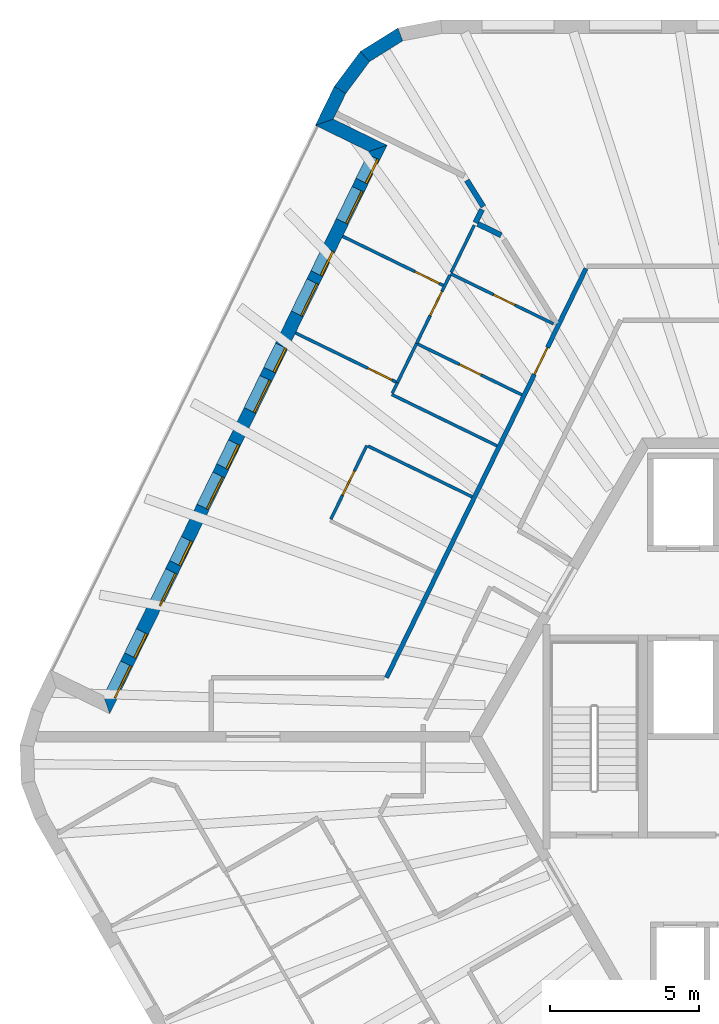
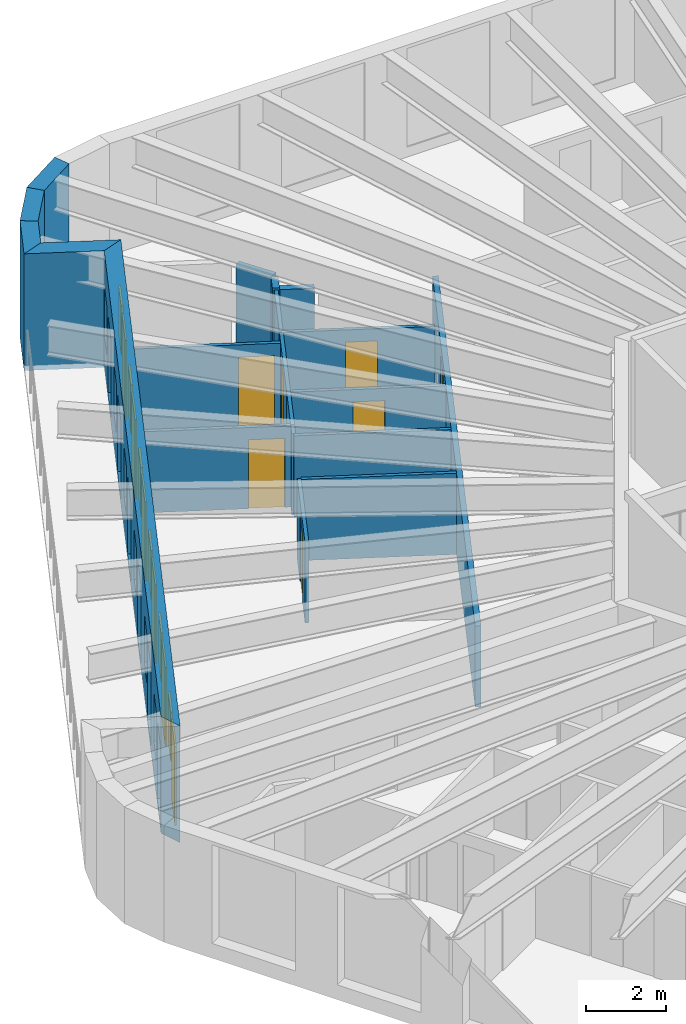
# One storey, part 8 of 11: 20 walls, 13 doors, 6 windows, 19 openings.
"""IFC4 building model written with IfcOpenShell, lengths in metres."""

from ifc_helpers import new_model, si_unit, direction, frame, frame_2d, origin, place, context, subcontext, project, spatial, polyline, rectangle, outline, extrude, material, layer, layer_set, type_object, element, fill, save


model = new_model("IFC4")

# Units and contexts
model_context = context("Model", 3, precision=1e-05, world=origin(), true_north=direction((0.0, 1.0)))
body_context = subcontext(model_context, "Body", "Model", "MODEL_VIEW")
ifc_project = project(units=[si_unit("LENGTHUNIT", "METRE"), si_unit("AREAUNIT", "SQUARE_METRE"), si_unit("VOLUMEUNIT", "CUBIC_METRE"), si_unit("PLANEANGLEUNIT", "RADIAN"), si_unit("MASSUNIT", "GRAM", prefix="KILO")], contexts=[model_context])

# Site, building, storey
site_placement = place(None, origin())
site = spatial("IfcSite", under=ifc_project, at=site_placement, CompositionType="ELEMENT")
building_placement = place(site_placement, origin())
building = spatial("IfcBuilding", under=site, at=building_placement, Name="Tarnside Tower", CompositionType="ELEMENT")
storey_placement = place(building_placement, frame((0.0, 0.0, 372.89990234375)))
storey = spatial("IfcBuildingStorey", under=building, at=storey_placement, Name="L90", CompositionType="ELEMENT", Elevation=372.89990234375)

# Walls
ifc_material_1 = material(Name="Gypsum board partition on steel studs", Category="steel")
ifc_layer_1 = layer(ifc_material_1, 0.10009765625)
ifc_layer_set_1 = layer_set([ifc_layer_1], Name="Bathroom wall 100")
wall_type_1 = type_object("IfcWallType", Name="Bathroom wall 100", PredefinedType="PARTITIONING", material=ifc_layer_set_1)
wall_1_placement = place(storey_placement, frame((-10.632080078125, 9.73828125, 0.0), z_axis=(0.0, 0.0, 1.0), x_axis=(-0.898787574002, 0.438384416717, 0.0)))
element("IfcWall", 1, at=wall_1_placement, inside=storey, type_object=wall_type_1, Name="Bathroom wall 29094", PredefinedType="PARTITIONING", context=body_context, shape_type="SweptSolid", body=[
    extrude(rectangle(XDim=3.925048828125, YDim=0.10009765625, at=frame_2d((1.96240234375, 0.0))), origin(), (0.0, 0.0, 1.0), 2.47021484375),
])
wall_2_placement = place(storey_placement, frame((-14.137939453125, 11.50390625, 0.0), z_axis=(0.0, 0.0, 1.0), x_axis=(0.438214838481, 0.898870266131, 0.0)))
element("IfcWall", 2, at=wall_2_placement, inside=storey, type_object=wall_type_1, Name="Bathroom wall 29095", PredefinedType="PARTITIONING", context=body_context, shape_type="SweptSolid", body=[
    extrude(rectangle(XDim=0.3916015625, YDim=0.10009765625, at=frame_2d((0.19580078125, 0.0))), origin(), (0.0, 0.0, 1.0), 2.47021484375),
])

# Wall, opening, door
wall_3_placement = place(storey_placement, frame((-13.326904296875, 13.16650390625, 0.0), z_axis=(0.0, 0.0, 1.0), x_axis=(0.898812080899, -0.438334168449, 0.0)))
wall_3 = element("IfcWall", 3, at=wall_3_placement, inside=storey, type_object=wall_type_1, Name="Bathroom wall 29100", PredefinedType="PARTITIONING", context=body_context, shape_type="SweptSolid", body=[
    extrude(rectangle(XDim=3.925048828125, YDim=0.10009765625, at=frame_2d((1.96240234375, 0.0))), origin(), (0.0, 0.0, 1.0), 2.47021484375),
])
opening_1_placement = place(wall_3_placement, frame((1.60009765625, 0.0, 0.0)))
opening_1 = element("IfcOpeningElement", 4, at=opening_1_placement, cuts=wall_3, Name="Opening D-B1", PredefinedType="OPENING", context=body_context, shape_type="SweptSolid", body=[
    extrude(rectangle(XDim=0.800048828125, YDim=2.10009765625, at=frame_2d((0.39990234375, 1.050048828125))), frame((0.0, 0.06005859375, 0.0), z_axis=(0.0, -1.0, 0.0), x_axis=(1.0, 0.0, 0.0)), (0.0, 0.0, 1.0), 0.1201171875),
])
ifc_material_2 = material(Name="Timber door leaf", Category="wood")
door_type_1 = type_object("IfcDoorType", Name="Bathroom door 800", OperationType="NOTDEFINED", PredefinedType="DOOR", material=ifc_material_2)
door_1_placement = place(opening_1_placement, origin())
door_1 = element("IfcDoor", 5, at=door_1_placement, inside=storey, type_object=door_type_1, Name="Bathroom door 29010", OperationType="SINGLE_SWING_LEFT", OverallHeight=2.10009765625, OverallWidth=0.800048828125, PredefinedType="DOOR", context=body_context, shape_type="SweptSolid", body=[
    extrude(rectangle(XDim=0.800048828125, YDim=2.10009765625, at=frame_2d((0.39990234375, 1.050048828125))), frame((0.0, 0.02490234375, 0.0), z_axis=(0.0, -1.0, 0.0), x_axis=(1.0, 0.0, 0.0)), (0.0, 0.0, 1.0), 0.050048828125),
])
fill(opening_1, door_1)

wall_4_placement = place(storey_placement, frame((-8.74462890625, 13.824462890625, 0.0), z_axis=(0.0, 0.0, 1.0), x_axis=(-0.898794787177, 0.43836962776, 0.0)))
wall_4 = element("IfcWall", 6, at=wall_4_placement, inside=storey, type_object=wall_type_1, Name="Bathroom wall 29103", PredefinedType="PARTITIONING", context=body_context, shape_type="SweptSolid", body=[
    extrude(rectangle(XDim=3.830078125, YDim=0.10009765625, at=frame_2d((1.9150390625, 0.0))), origin(), (0.0, 0.0, 1.0), 2.47021484375),
])
opening_2_placement = place(wall_4_placement, frame((1.43017578125, 0.0, 0.0)))
opening_2 = element("IfcOpeningElement", 7, at=opening_2_placement, cuts=wall_4, Name="Opening D-B1", PredefinedType="OPENING", context=body_context, shape_type="SweptSolid", body=[
    extrude(rectangle(XDim=0.800048828125, YDim=2.10009765625, at=frame_2d((0.39990234375, 1.050048828125))), frame((0.0, 0.06005859375, 0.0), z_axis=(0.0, -1.0, 0.0), x_axis=(1.0, 0.0, 0.0)), (0.0, 0.0, 1.0), 0.1201171875),
])
door_2_placement = place(opening_2_placement, origin())
door_2 = element("IfcDoor", 8, at=door_2_placement, inside=storey, type_object=door_type_1, Name="Bathroom door 29019", OperationType="SINGLE_SWING_RIGHT", OverallHeight=2.10009765625, OverallWidth=0.800048828125, PredefinedType="DOOR", context=body_context, shape_type="SweptSolid", body=[
    extrude(rectangle(XDim=0.800048828125, YDim=2.10009765625, at=frame_2d((0.39990234375, 1.050048828125))), frame((0.0, 0.02490234375, 0.0), z_axis=(0.0, -1.0, 0.0), x_axis=(1.0, 0.0, 0.0)), (0.0, 0.0, 1.0), 0.050048828125),
])
fill(opening_2, door_2)

# Walls
wall_5_placement = place(storey_placement, frame((-13.325927734375, 13.16845703125, 0.0), z_axis=(0.0, 0.0, 1.0), x_axis=(-0.438377585285, -0.898790906006, 0.0)))
element("IfcWall", 9, at=wall_5_placement, inside=storey, type_object=wall_type_1, Name="Bathroom wall 29104", PredefinedType="PARTITIONING", context=body_context, shape_type="SweptSolid", body=[
    extrude(rectangle(XDim=1.46240234375, YDim=0.10009765625, at=frame_2d((0.731201171875, 0.0))), origin(), (0.0, 0.0, 1.0), 2.47021484375),
])
wall_6_placement = place(storey_placement, frame((-12.165283203125, 15.54833984375, 0.0), z_axis=(0.0, 0.0, 1.0), x_axis=(0.438426364669, 0.89876711264, 0.0)))
element("IfcWall", 10, at=wall_6_placement, inside=storey, type_object=wall_type_1, Name="Bathroom wall 29106", PredefinedType="PARTITIONING", context=body_context, shape_type="SweptSolid", body=[
    extrude(rectangle(XDim=1.76025390625, YDim=0.10009765625, at=frame_2d((0.880126953125, 0.0))), origin(), (0.0, 0.0, 1.0), 2.47021484375),
])

# Wall, opening, door
ifc_layer_2 = layer(ifc_material_1, 0.14990234375)
ifc_layer_set_2 = layer_set([ifc_layer_2], Name="Corridor wall 150 EI 60")
wall_type_2 = type_object("IfcWallType", Name="Corridor wall 150 EI 60", PredefinedType="PARTITIONING", material=ifc_layer_set_2)
wall_7_placement = place(storey_placement, frame((-7.653076171875, 15.675048828125, 0.0), z_axis=(0.0, 0.0, 1.0), x_axis=(-0.438369669055, -0.898794767037, 0.0)))
wall_7 = element("IfcWall", 11, at=wall_7_placement, inside=storey, type_object=wall_type_2, Name="Corridor wall 29002", PredefinedType="PARTITIONING", context=body_context, shape_type="SweptSolid", body=[
    extrude(rectangle(XDim=15.24267578125, YDim=0.14990234375, at=frame_2d((7.621337890625, 0.0))), origin(), (0.0, 0.0, 1.0), 2.47021484375),
])
opening_3_placement = place(wall_7_placement, frame((2.941650390625, 0.0, 0.0)))
opening_3 = element("IfcOpeningElement", 12, at=opening_3_placement, cuts=wall_7, Name="Opening D-E1", PredefinedType="OPENING", context=body_context, shape_type="SweptSolid", body=[
    extrude(rectangle(XDim=1.0, YDim=2.10009765625, at=frame_2d((0.5, 1.050048828125))), frame((0.0, 0.0849609375, 0.0), z_axis=(0.0, -1.0, 0.0), x_axis=(1.0, 0.0, 0.0)), (0.0, 0.0, 1.0), 0.169921875),
])
door_type_2 = type_object("IfcDoorType", Name="Unit entrance door 1000 FD30S", OperationType="NOTDEFINED", PredefinedType="DOOR", material=ifc_material_2)
door_3_placement = place(opening_3_placement, origin())
door_3 = element("IfcDoor", 13, at=door_3_placement, inside=storey, type_object=door_type_2, Name="Unit door 29009", OperationType="SINGLE_SWING_RIGHT", OverallHeight=2.10009765625, OverallWidth=1.0, PredefinedType="DOOR", context=body_context, shape_type="SweptSolid", body=[
    extrude(rectangle(XDim=1.0, YDim=2.10009765625, at=frame_2d((0.5, 1.050048828125))), frame((0.0, 0.02490234375, 0.0), z_axis=(0.0, -1.0, 0.0), x_axis=(1.0, 0.0, 0.0)), (0.0, 0.0, 1.0), 0.050048828125),
])
fill(opening_3, door_3)

# Walls
ifc_layer_3 = layer(ifc_material_1, 0.179931640625)
ifc_layer_set_3 = layer_set([ifc_layer_3], Name="Demising wall 180 EI 60")
wall_type_3 = type_object("IfcWallType", Name="Demising wall 180 EI 60", PredefinedType="PARTITIONING", material=ifc_layer_set_3)
wall_8_placement = place(storey_placement, frame((-11.6416015625, 18.63037109375, 0.0), z_axis=(0.0, 0.0, 1.0), x_axis=(0.530041214548, -0.847971880949, 0.0)))
element("IfcWall", 14, at=wall_8_placement, inside=storey, type_object=wall_type_3, Name="Demising wall 29085", PredefinedType="PARTITIONING", context=body_context, shape_type="SweptSolid", body=[
    extrude(rectangle(XDim=1.0380859375, YDim=0.179931640625, at=frame_2d((0.51904296875, 0.0))), origin(), (0.0, 0.0, 1.0), 2.47021484375),
])
wall_9_placement = place(storey_placement, frame((-11.137939453125, 17.654541015625, 0.0), z_axis=(0.0, 0.0, 1.0), x_axis=(-0.43834617456, -0.89880622564, 0.0)))
element("IfcWall", 15, at=wall_9_placement, inside=storey, type_object=wall_type_3, Name="Demising wall 29086", PredefinedType="PARTITIONING", context=body_context, shape_type="SweptSolid", body=[
    extrude(rectangle(XDim=0.496826171875, YDim=0.179931640625, at=frame_2d((0.24853515625, 0.0))), origin(), (0.0, 0.0, 1.0), 2.47021484375),
])
wall_10_placement = place(storey_placement, frame((-11.2734375, 17.171630859375, 0.0), z_axis=(0.0, 0.0, 1.0), x_axis=(0.898819713643, -0.438318517025, 0.0)))
element("IfcWall", 16, at=wall_10_placement, inside=storey, type_object=wall_type_3, Name="Demising wall 29087", PredefinedType="PARTITIONING", context=body_context, shape_type="SweptSolid", body=[
    extrude(rectangle(XDim=0.869384765625, YDim=0.179931640625, at=frame_2d((0.4345703125, 0.0))), origin(), (0.0, 0.0, 1.0), 2.47021484375),
])
ifc_material_3 = material(Name="Dark zinc cladding")
ifc_layer_4 = layer(ifc_material_3, 0.10205078125)
ifc_material_4 = material(Name="Concrete C60/75 precast", Category="concrete")
ifc_layer_5 = layer(ifc_material_4, 0.248046875)
ifc_material_5 = material(Name="Mineral wool insulation")
ifc_layer_6 = layer(ifc_material_5, 0.10009765625)
ifc_layer_set_4 = layer_set([ifc_layer_4, ifc_layer_5, ifc_layer_6], Name="Loggia wall 450 zinc faced")
wall_type_4 = type_object("IfcWallType", Name="Loggia wall 450 zinc faced", PredefinedType="SOLIDWALL", material=ifc_layer_set_4)
wall_11_placement = place(storey_placement, frame((-15.890380859375, 21.65478515625, -0.14990234375), z_axis=(0.0, 0.0, 1.0), x_axis=(-0.438319390103, -0.898819287877, 0.0)))
element("IfcWall", 17, at=wall_11_placement, inside=storey, type_object=wall_type_4, Name="Tube wall L90 F2 stub 04", PredefinedType="SOLIDWALL", context=body_context, shape_type="SweptSolid", body=[
    extrude(outline(polyline([(-0.02099609375, -0.22509765625), (1.4248046875, -0.22509765625), (0.974609375, 0.22509765625), (0.02099609375, 0.22509765625), (-0.02099609375, -0.22509765625)])), origin(), (0.0, 0.0, 1.0), 3.550048828125),
])
wall_12_placement = place(storey_placement, frame((-16.416259765625, 20.576416015625, -0.14990234375), z_axis=(0.0, 0.0, 1.0), x_axis=(0.898730898244, -0.438500595829, 0.0)))
element("IfcWall", 18, at=wall_12_placement, inside=storey, type_object=wall_type_4, Name="Tube wall L90 F2 return 05", PredefinedType="SOLIDWALL", context=body_context, shape_type="SweptSolid", body=[
    extrude(outline(polyline([(-0.224853515625, -0.22509765625), (1.77490234375, -0.22509765625), (2.22509765625, 0.22509765625), (0.224853515625, 0.22509765625), (-0.224853515625, -0.22509765625)])), origin(), (0.0, 0.0, 1.0), 3.550048828125),
])

# Wall, openings, doors, windows
wall_13_placement = place(storey_placement, frame((-14.618896484375, 19.699462890625, -0.14990234375), z_axis=(0.0, 0.0, 1.0), x_axis=(-0.438373747484, -0.898792777851, 0.0)))
wall_13 = element("IfcWall", 19, at=wall_13_placement, inside=storey, type_object=wall_type_4, Name="Tube wall L90 F2 back 06", PredefinedType="SOLIDWALL", context=body_context, shape_type="SweptSolid", body=[
    extrude(outline(polyline([(0.224853515625, -0.22509765625), (20.50634765625, -0.22509765625), (20.95654296875, 0.22509765625), (-0.224853515625, 0.22509765625), (0.224853515625, -0.22509765625)])), origin(), (0.0, 0.0, 1.0), 3.550048828125),
])
opening_4_placement = place(wall_13_placement, frame((0.324951171875, 0.0, 1.050048828125)))
opening_4 = element("IfcOpeningElement", 20, at=opening_4_placement, cuts=wall_13, Name="Opening WL450", PredefinedType="OPENING", context=body_context, shape_type="SweptSolid", body=[
    extrude(rectangle(XDim=0.89990234375, YDim=1.5, at=frame_2d((0.449951171875, 0.75))), frame((0.0, 0.23486328125, 0.0), z_axis=(0.0, -1.0, 0.0), x_axis=(1.0, 0.0, 0.0)), (0.0, 0.0, 1.0), 0.469970703125),
])
opening_5_placement = place(wall_13_placement, frame((1.52490234375, 0.0, 0.14990234375)))
opening_5 = element("IfcOpeningElement", 21, at=opening_5_placement, cuts=wall_13, Name="Opening DB450", PredefinedType="OPENING", context=body_context, shape_type="SweptSolid", body=[
    extrude(rectangle(XDim=1.199951171875, YDim=2.39990234375, at=frame_2d((0.60009765625, 1.199951171875))), frame((0.0, 0.23486328125, 0.0), z_axis=(0.0, -1.0, 0.0), x_axis=(1.0, 0.0, 0.0)), (0.0, 0.0, 1.0), 0.469970703125),
])
opening_6_placement = place(wall_13_placement, frame((3.765869140625, 0.0, 1.050048828125)))
opening_6 = element("IfcOpeningElement", 22, at=opening_6_placement, cuts=wall_13, Name="Opening WL450", PredefinedType="OPENING", context=body_context, shape_type="SweptSolid", body=[
    extrude(rectangle(XDim=0.89990234375, YDim=1.5, at=frame_2d((0.449951171875, 0.75))), frame((0.0, 0.23486328125, 0.0), z_axis=(0.0, -1.0, 0.0), x_axis=(1.0, 0.0, 0.0)), (0.0, 0.0, 1.0), 0.469970703125),
])
opening_7_placement = place(wall_13_placement, frame((4.9658203125, 0.0, 0.14990234375)))
opening_7 = element("IfcOpeningElement", 23, at=opening_7_placement, cuts=wall_13, Name="Opening DB450", PredefinedType="OPENING", context=body_context, shape_type="SweptSolid", body=[
    extrude(rectangle(XDim=1.199951171875, YDim=2.39990234375, at=frame_2d((0.60009765625, 1.199951171875))), frame((0.0, 0.23486328125, 0.0), z_axis=(0.0, -1.0, 0.0), x_axis=(1.0, 0.0, 0.0)), (0.0, 0.0, 1.0), 0.469970703125),
])
opening_8_placement = place(wall_13_placement, frame((7.36572265625, 0.0, 1.050048828125)))
opening_8 = element("IfcOpeningElement", 24, at=opening_8_placement, cuts=wall_13, Name="Opening WL450", PredefinedType="OPENING", context=body_context, shape_type="SweptSolid", body=[
    extrude(rectangle(XDim=0.89990234375, YDim=1.5, at=frame_2d((0.449951171875, 0.75))), frame((0.0, 0.23486328125, 0.0), z_axis=(0.0, -1.0, 0.0), x_axis=(1.0, 0.0, 0.0)), (0.0, 0.0, 1.0), 0.469970703125),
])
opening_9_placement = place(wall_13_placement, frame((8.56591796875, 0.0, 0.14990234375)))
opening_9 = element("IfcOpeningElement", 25, at=opening_9_placement, cuts=wall_13, Name="Opening DB450", PredefinedType="OPENING", context=body_context, shape_type="SweptSolid", body=[
    extrude(rectangle(XDim=1.199951171875, YDim=2.39990234375, at=frame_2d((0.60009765625, 1.199951171875))), frame((0.0, 0.23486328125, 0.0), z_axis=(0.0, -1.0, 0.0), x_axis=(1.0, 0.0, 0.0)), (0.0, 0.0, 1.0), 0.469970703125),
])
opening_10_placement = place(wall_13_placement, frame((10.9658203125, 0.0, 1.050048828125)))
opening_10 = element("IfcOpeningElement", 26, at=opening_10_placement, cuts=wall_13, Name="Opening WL450", PredefinedType="OPENING", context=body_context, shape_type="SweptSolid", body=[
    extrude(rectangle(XDim=0.89990234375, YDim=1.5, at=frame_2d((0.449951171875, 0.75))), frame((0.0, 0.23486328125, 0.0), z_axis=(0.0, -1.0, 0.0), x_axis=(1.0, 0.0, 0.0)), (0.0, 0.0, 1.0), 0.469970703125),
])
opening_11_placement = place(wall_13_placement, frame((12.165771484375, 0.0, 0.14990234375)))
opening_11 = element("IfcOpeningElement", 27, at=opening_11_placement, cuts=wall_13, Name="Opening DB450", PredefinedType="OPENING", context=body_context, shape_type="SweptSolid", body=[
    extrude(rectangle(XDim=1.199951171875, YDim=2.39990234375, at=frame_2d((0.60009765625, 1.199951171875))), frame((0.0, 0.23486328125, 0.0), z_axis=(0.0, -1.0, 0.0), x_axis=(1.0, 0.0, 0.0)), (0.0, 0.0, 1.0), 0.469970703125),
])
opening_12_placement = place(wall_13_placement, frame((14.56591796875, 0.0, 1.050048828125)))
opening_12 = element("IfcOpeningElement", 28, at=opening_12_placement, cuts=wall_13, Name="Opening WL450", PredefinedType="OPENING", context=body_context, shape_type="SweptSolid", body=[
    extrude(rectangle(XDim=0.89990234375, YDim=1.5, at=frame_2d((0.449951171875, 0.75))), frame((0.0, 0.23486328125, 0.0), z_axis=(0.0, -1.0, 0.0), x_axis=(1.0, 0.0, 0.0)), (0.0, 0.0, 1.0), 0.469970703125),
])
opening_13_placement = place(wall_13_placement, frame((15.765869140625, 0.0, 0.14990234375)))
opening_13 = element("IfcOpeningElement", 29, at=opening_13_placement, cuts=wall_13, Name="Opening DB450", PredefinedType="OPENING", context=body_context, shape_type="SweptSolid", body=[
    extrude(rectangle(XDim=1.199951171875, YDim=2.39990234375, at=frame_2d((0.60009765625, 1.199951171875))), frame((0.0, 0.23486328125, 0.0), z_axis=(0.0, -1.0, 0.0), x_axis=(1.0, 0.0, 0.0)), (0.0, 0.0, 1.0), 0.469970703125),
])
opening_14_placement = place(wall_13_placement, frame((18.006591796875, 0.0, 1.050048828125)))
opening_14 = element("IfcOpeningElement", 30, at=opening_14_placement, cuts=wall_13, Name="Opening WL450", PredefinedType="OPENING", context=body_context, shape_type="SweptSolid", body=[
    extrude(rectangle(XDim=0.89990234375, YDim=1.5, at=frame_2d((0.449951171875, 0.75))), frame((0.0, 0.23486328125, 0.0), z_axis=(0.0, -1.0, 0.0), x_axis=(1.0, 0.0, 0.0)), (0.0, 0.0, 1.0), 0.469970703125),
])
opening_15_placement = place(wall_13_placement, frame((19.20654296875, 0.0, 0.14990234375)))
opening_15 = element("IfcOpeningElement", 31, at=opening_15_placement, cuts=wall_13, Name="Opening DB450", PredefinedType="OPENING", context=body_context, shape_type="SweptSolid", body=[
    extrude(rectangle(XDim=1.199951171875, YDim=2.39990234375, at=frame_2d((0.60009765625, 1.199951171875))), frame((0.0, 0.23486328125, 0.0), z_axis=(0.0, -1.0, 0.0), x_axis=(1.0, 0.0, 0.0)), (0.0, 0.0, 1.0), 0.469970703125),
])
ifc_material_6 = material(Name="Aluminium-framed double glazing", Category="aluminium")
door_type_3 = type_object("IfcDoorType", Name="Balcony sliding door 1200 x 2400 in 450 wall", OperationType="SLIDING_TO_LEFT", PredefinedType="DOOR", material=ifc_material_6)
door_4_placement = place(opening_5_placement, frame((0.0, 0.150146484375, 0.0)))
door_4 = element("IfcDoor", 32, at=door_4_placement, inside=storey, type_object=door_type_3, Name="E.BD.L90.F2.00", OperationType="SLIDING_TO_LEFT", OverallHeight=2.39990234375, OverallWidth=1.199951171875, PredefinedType="DOOR", context=body_context, shape_type="SweptSolid", body=[
    extrude(rectangle(XDim=1.199951171875, YDim=2.39990234375, at=frame_2d((0.60009765625, 1.199951171875))), frame((0.0, 0.02490234375, 0.0), z_axis=(0.0, -1.0, 0.0), x_axis=(1.0, 0.0, 0.0)), (0.0, 0.0, 1.0), 0.050048828125),
])
fill(opening_5, door_4)
door_5_placement = place(opening_7_placement, frame((0.0, 0.150146484375, 0.0)))
door_5 = element("IfcDoor", 33, at=door_5_placement, inside=storey, type_object=door_type_3, Name="E.BD.L90.F2.01", OperationType="SLIDING_TO_LEFT", OverallHeight=2.39990234375, OverallWidth=1.199951171875, PredefinedType="DOOR", context=body_context, shape_type="SweptSolid", body=[
    extrude(rectangle(XDim=1.199951171875, YDim=2.39990234375, at=frame_2d((0.60009765625, 1.199951171875))), frame((0.0, 0.02490234375, 0.0), z_axis=(0.0, -1.0, 0.0), x_axis=(1.0, 0.0, 0.0)), (0.0, 0.0, 1.0), 0.050048828125),
])
fill(opening_7, door_5)
door_6_placement = place(opening_9_placement, frame((0.0, 0.150146484375, 0.0)))
door_6 = element("IfcDoor", 34, at=door_6_placement, inside=storey, type_object=door_type_3, Name="E.BD.L90.F2.02", OperationType="SLIDING_TO_LEFT", OverallHeight=2.39990234375, OverallWidth=1.199951171875, PredefinedType="DOOR", context=body_context, shape_type="SweptSolid", body=[
    extrude(rectangle(XDim=1.199951171875, YDim=2.39990234375, at=frame_2d((0.60009765625, 1.199951171875))), frame((0.0, 0.02490234375, 0.0), z_axis=(0.0, -1.0, 0.0), x_axis=(1.0, 0.0, 0.0)), (0.0, 0.0, 1.0), 0.050048828125),
])
fill(opening_9, door_6)
door_7_placement = place(opening_11_placement, frame((0.0, 0.150146484375, 0.0)))
door_7 = element("IfcDoor", 35, at=door_7_placement, inside=storey, type_object=door_type_3, Name="E.BD.L90.F2.03", OperationType="SLIDING_TO_LEFT", OverallHeight=2.39990234375, OverallWidth=1.199951171875, PredefinedType="DOOR", context=body_context, shape_type="SweptSolid", body=[
    extrude(rectangle(XDim=1.199951171875, YDim=2.39990234375, at=frame_2d((0.60009765625, 1.199951171875))), frame((0.0, 0.02490234375, 0.0), z_axis=(0.0, -1.0, 0.0), x_axis=(1.0, 0.0, 0.0)), (0.0, 0.0, 1.0), 0.050048828125),
])
fill(opening_11, door_7)
door_8_placement = place(opening_13_placement, frame((0.0, 0.150146484375, 0.0)))
door_8 = element("IfcDoor", 36, at=door_8_placement, inside=storey, type_object=door_type_3, Name="E.BD.L90.F2.04", OperationType="SLIDING_TO_LEFT", OverallHeight=2.39990234375, OverallWidth=1.199951171875, PredefinedType="DOOR", context=body_context, shape_type="SweptSolid", body=[
    extrude(rectangle(XDim=1.199951171875, YDim=2.39990234375, at=frame_2d((0.60009765625, 1.199951171875))), frame((0.0, 0.02490234375, 0.0), z_axis=(0.0, -1.0, 0.0), x_axis=(1.0, 0.0, 0.0)), (0.0, 0.0, 1.0), 0.050048828125),
])
fill(opening_13, door_8)
door_9_placement = place(opening_15_placement, frame((0.0, 0.150146484375, 0.0)))
door_9 = element("IfcDoor", 37, at=door_9_placement, inside=storey, type_object=door_type_3, Name="E.BD.L90.F2.05", OperationType="SLIDING_TO_LEFT", OverallHeight=2.39990234375, OverallWidth=1.199951171875, PredefinedType="DOOR", context=body_context, shape_type="SweptSolid", body=[
    extrude(rectangle(XDim=1.199951171875, YDim=2.39990234375, at=frame_2d((0.60009765625, 1.199951171875))), frame((0.0, 0.02490234375, 0.0), z_axis=(0.0, -1.0, 0.0), x_axis=(1.0, 0.0, 0.0)), (0.0, 0.0, 1.0), 0.050048828125),
])
fill(opening_15, door_9)
window_type = type_object("IfcWindowType", Name="Loggia window 900 x 1500 in 450 wall", PartitioningType="SINGLE_PANEL", PredefinedType="WINDOW", material=ifc_material_6)
window_1_placement = place(opening_4_placement, frame((0.0, 0.1552734375, 0.0)))
window_1 = element("IfcWindow", 38, at=window_1_placement, inside=storey, type_object=window_type, Name="E.LW.L90.F2.00", OverallHeight=1.5, OverallWidth=0.89990234375, PartitioningType="SINGLE_PANEL", PredefinedType="WINDOW", context=body_context, shape_type="SweptSolid", body=[
    extrude(rectangle(XDim=0.89990234375, YDim=1.5, at=frame_2d((0.449951171875, 0.75))), frame((0.0, 0.030029296875, 0.0), z_axis=(0.0, -1.0, 0.0), x_axis=(1.0, 0.0, 0.0)), (0.0, 0.0, 1.0), 0.06005859375),
])
fill(opening_4, window_1)
window_2_placement = place(opening_6_placement, frame((0.0, 0.1552734375, 0.0)))
window_2 = element("IfcWindow", 39, at=window_2_placement, inside=storey, type_object=window_type, Name="E.LW.L90.F2.01", OverallHeight=1.5, OverallWidth=0.89990234375, PartitioningType="SINGLE_PANEL", PredefinedType="WINDOW", context=body_context, shape_type="SweptSolid", body=[
    extrude(rectangle(XDim=0.89990234375, YDim=1.5, at=frame_2d((0.449951171875, 0.75))), frame((0.0, 0.030029296875, 0.0), z_axis=(0.0, -1.0, 0.0), x_axis=(1.0, 0.0, 0.0)), (0.0, 0.0, 1.0), 0.06005859375),
])
fill(opening_6, window_2)
window_3_placement = place(opening_8_placement, frame((0.0, 0.1552734375, 0.0)))
window_3 = element("IfcWindow", 40, at=window_3_placement, inside=storey, type_object=window_type, Name="E.LW.L90.F2.02", OverallHeight=1.5, OverallWidth=0.89990234375, PartitioningType="SINGLE_PANEL", PredefinedType="WINDOW", context=body_context, shape_type="SweptSolid", body=[
    extrude(rectangle(XDim=0.89990234375, YDim=1.5, at=frame_2d((0.449951171875, 0.75))), frame((0.0, 0.030029296875, 0.0), z_axis=(0.0, -1.0, 0.0), x_axis=(1.0, 0.0, 0.0)), (0.0, 0.0, 1.0), 0.06005859375),
])
fill(opening_8, window_3)
window_4_placement = place(opening_10_placement, frame((0.0, 0.1552734375, 0.0)))
window_4 = element("IfcWindow", 41, at=window_4_placement, inside=storey, type_object=window_type, Name="E.LW.L90.F2.03", OverallHeight=1.5, OverallWidth=0.89990234375, PartitioningType="SINGLE_PANEL", PredefinedType="WINDOW", context=body_context, shape_type="SweptSolid", body=[
    extrude(rectangle(XDim=0.89990234375, YDim=1.5, at=frame_2d((0.449951171875, 0.75))), frame((0.0, 0.030029296875, 0.0), z_axis=(0.0, -1.0, 0.0), x_axis=(1.0, 0.0, 0.0)), (0.0, 0.0, 1.0), 0.06005859375),
])
fill(opening_10, window_4)
window_5_placement = place(opening_12_placement, frame((0.0, 0.1552734375, 0.0)))
window_5 = element("IfcWindow", 42, at=window_5_placement, inside=storey, type_object=window_type, Name="E.LW.L90.F2.04", OverallHeight=1.5, OverallWidth=0.89990234375, PartitioningType="SINGLE_PANEL", PredefinedType="WINDOW", context=body_context, shape_type="SweptSolid", body=[
    extrude(rectangle(XDim=0.89990234375, YDim=1.5, at=frame_2d((0.449951171875, 0.75))), frame((0.0, 0.030029296875, 0.0), z_axis=(0.0, -1.0, 0.0), x_axis=(1.0, 0.0, 0.0)), (0.0, 0.0, 1.0), 0.06005859375),
])
fill(opening_12, window_5)
window_6_placement = place(opening_14_placement, frame((0.0, 0.1552734375, 0.0)))
window_6 = element("IfcWindow", 43, at=window_6_placement, inside=storey, type_object=window_type, Name="E.LW.L90.F2.05", OverallHeight=1.5, OverallWidth=0.89990234375, PartitioningType="SINGLE_PANEL", PredefinedType="WINDOW", context=body_context, shape_type="SweptSolid", body=[
    extrude(rectangle(XDim=0.89990234375, YDim=1.5, at=frame_2d((0.449951171875, 0.75))), frame((0.0, 0.030029296875, 0.0), z_axis=(0.0, -1.0, 0.0), x_axis=(1.0, 0.0, 0.0)), (0.0, 0.0, 1.0), 0.06005859375),
])
fill(opening_14, window_6)

# Wall, opening, door
ifc_layer_7 = layer(ifc_material_1, 0.10009765625)
ifc_layer_set_5 = layer_set([ifc_layer_7], Name="Partition 100")
wall_type_5 = type_object("IfcWallType", Name="Partition 100", PredefinedType="PARTITIONING", material=ifc_layer_set_5)
wall_14_placement = place(storey_placement, frame((-14.011962890625, 11.8759765625, 0.0), z_axis=(0.0, 0.0, 1.0), x_axis=(-0.898810362659, 0.438337691713, 0.0)))
wall_14 = element("IfcWall", 44, at=wall_14_placement, inside=storey, type_object=wall_type_5, Name="Partition wall 29096", PredefinedType="PARTITIONING", context=body_context, shape_type="SweptSolid", body=[
    extrude(rectangle(XDim=3.75, YDim=0.10009765625, at=frame_2d((1.875, 0.0))), origin(), (0.0, 0.0, 1.0), 2.47021484375),
])
opening_16_placement = place(wall_14_placement, frame((0.14990234375, 0.0, 0.0)))
opening_16 = element("IfcOpeningElement", 45, at=opening_16_placement, cuts=wall_14, Name="Opening D-I1", PredefinedType="OPENING", context=body_context, shape_type="SweptSolid", body=[
    extrude(rectangle(XDim=0.89990234375, YDim=2.10009765625, at=frame_2d((0.449951171875, 1.050048828125))), frame((0.0, 0.06005859375, 0.0), z_axis=(0.0, -1.0, 0.0), x_axis=(1.0, 0.0, 0.0)), (0.0, 0.0, 1.0), 0.1201171875),
])
door_type_4 = type_object("IfcDoorType", Name="Internal door 900", OperationType="NOTDEFINED", PredefinedType="DOOR", material=ifc_material_2)
door_10_placement = place(opening_16_placement, origin())
door_10 = element("IfcDoor", 46, at=door_10_placement, inside=storey, type_object=door_type_4, Name="Internal door 29018", OperationType="SINGLE_SWING_RIGHT", OverallHeight=2.10009765625, OverallWidth=0.89990234375, PredefinedType="DOOR", context=body_context, shape_type="SweptSolid", body=[
    extrude(rectangle(XDim=0.89990234375, YDim=2.10009765625, at=frame_2d((0.449951171875, 1.050048828125))), frame((0.0, 0.02490234375, 0.0), z_axis=(0.0, -1.0, 0.0), x_axis=(1.0, 0.0, 0.0)), (0.0, 0.0, 1.0), 0.050048828125),
])
fill(opening_16, door_10)

wall_15_placement = place(storey_placement, frame((-16.1982421875, 7.279541015625, 0.0), z_axis=(0.0, 0.0, 1.0), x_axis=(0.438385151252, 0.898787215731, 0.0)))
wall_15 = element("IfcWall", 47, at=wall_15_placement, inside=storey, type_object=wall_type_5, Name="Partition wall 29098", PredefinedType="PARTITIONING", context=body_context, shape_type="SweptSolid", body=[
    extrude(rectangle(XDim=2.75, YDim=0.10009765625, at=frame_2d((1.375, 0.0))), origin(), (0.0, 0.0, 1.0), 2.47021484375),
])
opening_17_placement = place(wall_15_placement, frame((0.89990234375, 0.0, 0.0)))
opening_17 = element("IfcOpeningElement", 48, at=opening_17_placement, cuts=wall_15, Name="Opening D-I1", PredefinedType="OPENING", context=body_context, shape_type="SweptSolid", body=[
    extrude(rectangle(XDim=0.89990234375, YDim=2.10009765625, at=frame_2d((0.449951171875, 1.050048828125))), frame((0.0, 0.06005859375, 0.0), z_axis=(0.0, -1.0, 0.0), x_axis=(1.0, 0.0, 0.0)), (0.0, 0.0, 1.0), 0.1201171875),
])
door_11_placement = place(opening_17_placement, origin())
door_11 = element("IfcDoor", 49, at=door_11_placement, inside=storey, type_object=door_type_4, Name="Internal door 29020", OperationType="SINGLE_SWING_LEFT", OverallHeight=2.10009765625, OverallWidth=0.89990234375, PredefinedType="DOOR", context=body_context, shape_type="SweptSolid", body=[
    extrude(rectangle(XDim=0.89990234375, YDim=2.10009765625, at=frame_2d((0.449951171875, 1.050048828125))), frame((0.0, 0.02490234375, 0.0), z_axis=(0.0, -1.0, 0.0), x_axis=(1.0, 0.0, 0.0)), (0.0, 0.0, 1.0), 0.050048828125),
])
fill(opening_17, door_11)

# Wall
wall_16_placement = place(storey_placement, frame((-14.94775390625, 9.729248046875, 0.0), z_axis=(0.0, 0.0, 1.0), x_axis=(0.898793875229, -0.438371497535, 0.0)))
element("IfcWall", 50, at=wall_16_placement, inside=storey, type_object=wall_type_5, Name="Partition wall 29099", PredefinedType="PARTITIONING", context=body_context, shape_type="SweptSolid", body=[
    extrude(rectangle(XDim=3.875, YDim=0.10009765625, at=frame_2d((1.9375, 0.0))), origin(), (0.0, 0.0, 1.0), 2.47021484375),
])

# Wall, opening, door
wall_17_placement = place(storey_placement, frame((-12.208251953125, 15.46044921875, 0.0), z_axis=(0.0, 0.0, 1.0), x_axis=(-0.438359600369, -0.898799677773, 0.0)))
wall_17 = element("IfcWall", 51, at=wall_17_placement, inside=storey, type_object=wall_type_5, Name="Partition wall 29101", PredefinedType="PARTITIONING", context=body_context, shape_type="SweptSolid", body=[
    extrude(rectangle(XDim=2.55419921875, YDim=0.10009765625, at=frame_2d((1.277099609375, 0.0))), origin(), (0.0, 0.0, 1.0), 2.47021484375),
])
opening_18_placement = place(wall_17_placement, frame((0.6123046875, 0.0, 0.0)))
opening_18 = element("IfcOpeningElement", 52, at=opening_18_placement, cuts=wall_17, Name="Opening D-I1", PredefinedType="OPENING", context=body_context, shape_type="SweptSolid", body=[
    extrude(rectangle(XDim=0.89990234375, YDim=2.10009765625, at=frame_2d((0.449951171875, 1.050048828125))), frame((0.0, 0.06005859375, 0.0), z_axis=(0.0, -1.0, 0.0), x_axis=(1.0, 0.0, 0.0)), (0.0, 0.0, 1.0), 0.1201171875),
])
door_12_placement = place(opening_18_placement, origin())
door_12 = element("IfcDoor", 53, at=door_12_placement, inside=storey, type_object=door_type_4, Name="Internal door 29013", OperationType="SINGLE_SWING_LEFT", OverallHeight=2.10009765625, OverallWidth=0.89990234375, PredefinedType="DOOR", context=body_context, shape_type="SweptSolid", body=[
    extrude(rectangle(XDim=0.89990234375, YDim=2.10009765625, at=frame_2d((0.449951171875, 1.050048828125))), frame((0.0, 0.02490234375, 0.0), z_axis=(0.0, -1.0, 0.0), x_axis=(1.0, 0.0, 0.0)), (0.0, 0.0, 1.0), 0.050048828125),
])
fill(opening_18, door_12)

wall_18_placement = place(storey_placement, frame((-15.804443359375, 16.755615234375, 0.0), z_axis=(0.0, 0.0, 1.0), x_axis=(0.89878471246, -0.438390283479, 0.0)))
wall_18 = element("IfcWall", 54, at=wall_18_placement, inside=storey, type_object=wall_type_5, Name="Partition wall 29105", PredefinedType="PARTITIONING", context=body_context, shape_type="SweptSolid", body=[
    extrude(rectangle(XDim=3.750244140625, YDim=0.10009765625, at=frame_2d((1.875, 0.0))), origin(), (0.0, 0.0, 1.0), 2.47021484375),
])
opening_19_placement = place(wall_18_placement, frame((2.699951171875, 0.0, 0.0)))
opening_19 = element("IfcOpeningElement", 55, at=opening_19_placement, cuts=wall_18, Name="Opening D-I1", PredefinedType="OPENING", context=body_context, shape_type="SweptSolid", body=[
    extrude(rectangle(XDim=0.89990234375, YDim=2.10009765625, at=frame_2d((0.449951171875, 1.050048828125))), frame((0.0, 0.06005859375, 0.0), z_axis=(0.0, -1.0, 0.0), x_axis=(1.0, 0.0, 0.0)), (0.0, 0.0, 1.0), 0.1201171875),
])
door_13_placement = place(opening_19_placement, origin())
door_13 = element("IfcDoor", 56, at=door_13_placement, inside=storey, type_object=door_type_4, Name="Internal door 29016", OperationType="SINGLE_SWING_RIGHT", OverallHeight=2.10009765625, OverallWidth=0.89990234375, PredefinedType="DOOR", context=body_context, shape_type="SweptSolid", body=[
    extrude(rectangle(XDim=0.89990234375, YDim=2.10009765625, at=frame_2d((0.449951171875, 1.050048828125))), frame((0.0, 0.02490234375, 0.0), z_axis=(0.0, -1.0, 0.0), x_axis=(1.0, 0.0, 0.0)), (0.0, 0.0, 1.0), 0.050048828125),
])
fill(opening_19, door_13)

# Walls
ifc_material_7 = material(Name="Facing brick", Category="masonry")
ifc_layer_8 = layer(ifc_material_7, 0.10205078125)
ifc_layer_9 = layer(ifc_material_4, 0.248046875)
ifc_layer_10 = layer(ifc_material_5, 0.10009765625)
ifc_layer_set_6 = layer_set([ifc_layer_8, ifc_layer_9, ifc_layer_10], Name="Tube wall 450 brick faced")
wall_type_6 = type_object("IfcWallType", Name="Tube wall 450 brick faced", PredefinedType="SOLIDWALL", material=ifc_layer_set_6)
wall_19_placement = place(storey_placement, frame((-13.87060546875, 23.516357421875, -0.14990234375), z_axis=(0.0, 0.0, 1.0), x_axis=(-0.848106239164, -0.52982620461, 0.0)))
element("IfcWall", 57, at=wall_19_placement, inside=storey, type_object=wall_type_6, Name="Tube wall L90 F1 chord 02", PredefinedType="SOLIDWALL", context=body_context, shape_type="SweptSolid", body=[
    extrude(outline(polyline([(-0.04248046875, -0.22509765625), (1.440185546875, -0.22509765625), (1.355224609375, 0.22509765625), (0.04248046875, 0.22509765625), (-0.04248046875, -0.22509765625)])), origin(), (0.0, 0.0, 1.0), 3.550048828125),
])
wall_20_placement = place(storey_placement, frame((-15.055908203125, 22.77587890625, -0.14990234375), z_axis=(0.0, 0.0, 1.0), x_axis=(-0.597089203515, -0.802174845682, 0.0)))
element("IfcWall", 58, at=wall_20_placement, inside=storey, type_object=wall_type_6, Name="Tube wall L90 F1 chord 03", PredefinedType="SOLIDWALL", context=body_context, shape_type="SweptSolid", body=[
    extrude(outline(polyline([(-0.04248046875, -0.22509765625), (1.41845703125, -0.22509765625), (1.37646484375, 0.22509765625), (0.04248046875, 0.22509765625), (-0.04248046875, -0.22509765625)])), origin(), (0.0, 0.0, 1.0), 3.550048828125),
])

save(model, "model.ifc")
